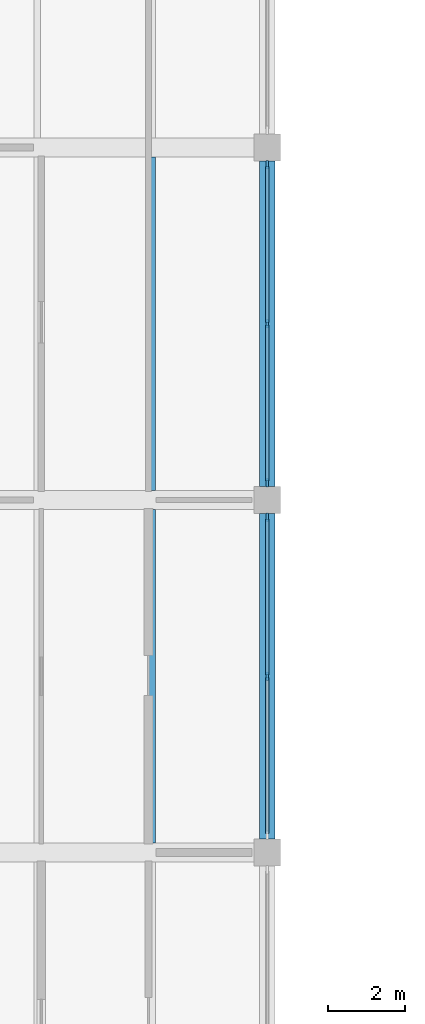
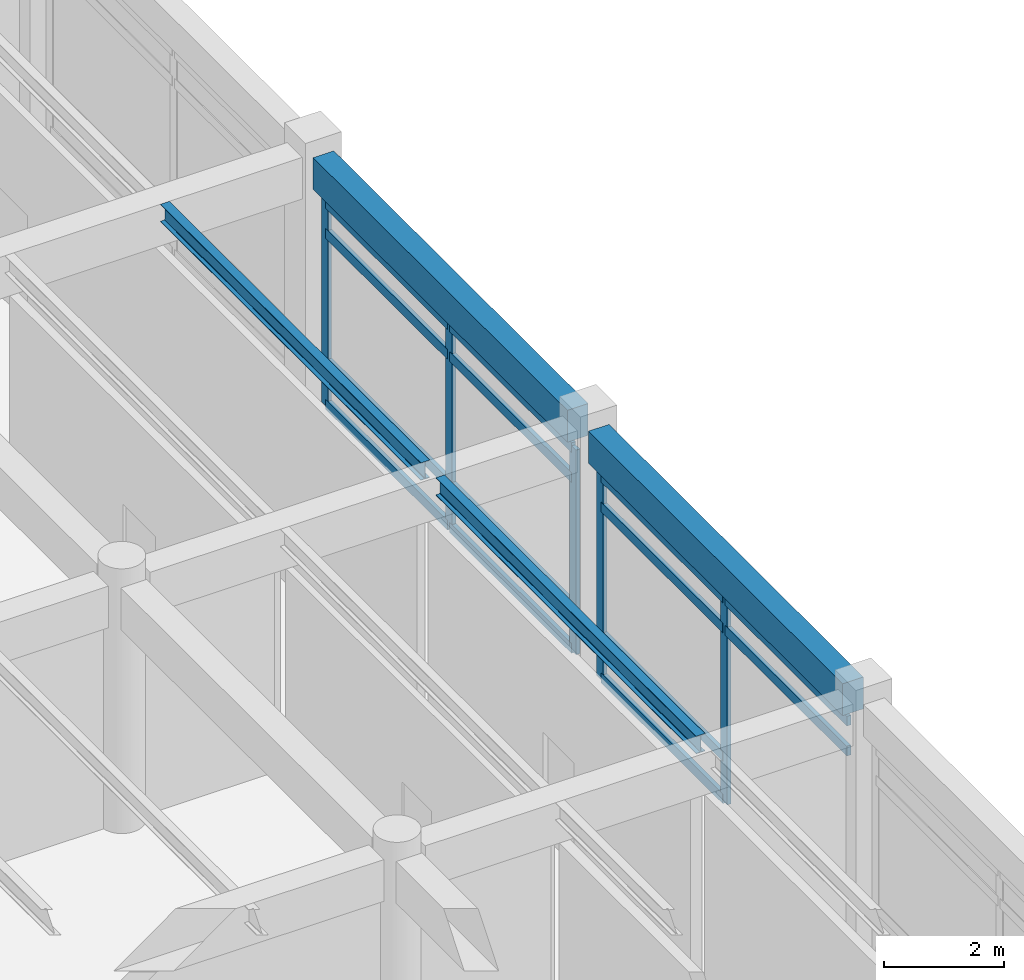
# One storey, part 29 of 76: 19 members, 4 beams, 2 elements without a shape of their own.
"""IFC4 building model written with IfcOpenShell, lengths in metres."""

from ifc_helpers import new_model, si_unit, direction, frame, origin, origin_2d, place, context, subcontext, project, spatial, rectangle, i_section, extrude, material, material_profile, profile_set, type_object, element, aggregate, save


model = new_model("IFC4")

# Units and contexts
model_context = context("Model", 3, precision=1e-05, world=origin(), true_north=direction((0.0, 1.0)))
body_context = subcontext(model_context, "Body", "Model", "MODEL_VIEW")
ifc_project = project(units=[si_unit("LENGTHUNIT", "METRE"), si_unit("AREAUNIT", "SQUARE_METRE"), si_unit("VOLUMEUNIT", "CUBIC_METRE"), si_unit("PLANEANGLEUNIT", "RADIAN"), si_unit("MASSUNIT", "GRAM", prefix="KILO")], contexts=[model_context])

# Site, building, storey
site_placement = place(None, origin())
site = spatial("IfcSite", under=ifc_project, at=site_placement, CompositionType="ELEMENT")
building_placement = place(site_placement, origin())
building = spatial("IfcBuilding", under=site, at=building_placement, Name="Bozkorgan Art Gallery", CompositionType="ELEMENT")
storey_placement = place(building_placement, origin())
storey = spatial("IfcBuildingStorey", under=building, at=storey_placement, Name="L00", CompositionType="ELEMENT", Elevation=0.0)

# Beams
ifc_material_1 = material(Name="Steel S355J2", Category="steel")
ifc_material_profile_1 = material_profile(ifc_material_1, i_section(OverallWidth=0.169921875, OverallDepth=0.360107421875, WebThickness=0.008056640625, FlangeThickness=0.0126953125, FilletRadius=0.01806640625, at=origin_2d()), Name="IPE 360")
ifc_profile_set_1 = profile_set([ifc_material_profile_1], Name="Steel S355J2")
beam_type_1 = type_object("IfcBeamType", Name="BEAM-JS-98", PredefinedType="JOIST", material=ifc_profile_set_1)
for number, where, z_axis, x_axis, name in (
    (1, (98.0, 47.85009765625, 4.8798828125), (0.0, 1.0, 0.0), (-1.0, 0.0, 0.0), "V4 L00 secondary joist (92-101, 47.6-56.8) #2"),
    (2, (98.0, 57.050048828125, 4.8798828125), (0.0, 1.0, 0.0), (-1.0, 0.0, 0.0), "V4 L00 secondary joist (92-101, 56.8-66.0) #2"),
):
    element("IfcBeam", number, at=place(storey_placement, frame(where, z_axis=z_axis, x_axis=x_axis)), inside=storey, type_object=beam_type_1, Name=name, PredefinedType="JOIST", context=body_context, shape_type="SweptSolid", body=[
        extrude(i_section(OverallWidth=0.169921875, OverallDepth=0.360107421875, WebThickness=0.008056640625, FlangeThickness=0.0126953125, FilletRadius=0.01806640625, at=origin_2d()), origin(), (0.0, 0.0, 1.0), 8.699951171875),
    ])
ifc_material_2 = material(Name="Concrete C35/45", Category="concrete")
ifc_material_profile_2 = material_profile(ifc_material_2, rectangle(XDim=0.39990234375, YDim=0.64990234375, at=origin_2d()), Name="RC 400x650")
ifc_profile_set_2 = profile_set([ifc_material_profile_2], Name="Concrete C35/45")
beam_type_2 = type_object("IfcBeamType", Name="BEAM-SP-69", PredefinedType="SPANDREL", material=ifc_profile_set_2)
for number, where, z_axis, x_axis, name in (
    (3, (101.0, 47.949951171875, 4.735107421875), (0.0, 1.0, 0.0), (-1.0, 0.0, 0.0), "V4 L00 spandrel Y (101, 47.6-56.8)"),
    (4, (101.0, 57.14990234375, 4.735107421875), (0.0, 1.0, 0.0), (-1.0, 0.0, 0.0), "V4 L00 spandrel Y (101, 56.8-66.0)"),
):
    element("IfcBeam", number, at=place(storey_placement, frame(where, z_axis=z_axis, x_axis=x_axis)), inside=storey, type_object=beam_type_2, Name=name, PredefinedType="SPANDREL", context=body_context, shape_type="SweptSolid", body=[
        extrude(rectangle(XDim=0.39990234375, YDim=0.64990234375, at=origin_2d()), origin(), (0.0, 0.0, 1.0), 8.5),
    ])

# Curtain wall, members
ifc_material_3 = material(Name="Anodised Bronze Aluminium", Category="aluminium")
curtain_wall_type = type_object("IfcCurtainWallType", Name="CW-CW-87", PredefinedType="NOTDEFINED", material=ifc_material_3)
curtain_wall_1_placement = place(storey_placement, origin())
curtain_wall_1 = element("IfcCurtainWall", 5, at=curtain_wall_1_placement, inside=storey, type_object=curtain_wall_type, Name="L00 unitised curtain wall CW-V4-L00-1E-10", PredefinedType="NOTDEFINED")
ifc_material_profile_3 = material_profile(ifc_material_3, rectangle(XDim=0.074951171875, YDim=0.219970703125, at=origin_2d()), Name="ALU MULLION 75x220")
ifc_profile_set_3 = profile_set([ifc_material_profile_3], Name="Anodised Bronze Aluminium")
member_type_1 = type_object("IfcMemberType", Name="CWM-02", PredefinedType="MULLION", material=ifc_profile_set_3)
member_1_placement = place(storey_placement, frame((101.0, 52.199951171875, 0.02001953125), z_axis=(0.0, 0.0, 1.0), x_axis=(-1.0, 0.0, 0.0)))
member_1 = element("IfcMember", 6, at=member_1_placement, type_object=member_type_1, Name="CW-87 mullion 2", PredefinedType="MULLION", context=body_context, shape_type="SweptSolid", body=[
    extrude(rectangle(XDim=0.074951171875, YDim=0.219970703125, at=origin_2d()), origin(), (0.0, 0.0, 1.0), 4.175048828125),
])
member_2_placement = place(storey_placement, frame((101.0, 56.347412109375, 0.02001953125), z_axis=(0.0, 0.0, 1.0), x_axis=(-1.0, 0.0, 0.0)))
member_2 = element("IfcMember", 7, at=member_2_placement, type_object=member_type_1, Name="CW-87 mullion 3", PredefinedType="MULLION", context=body_context, shape_type="SweptSolid", body=[
    extrude(rectangle(XDim=0.074951171875, YDim=0.219970703125, at=origin_2d()), origin(), (0.0, 0.0, 1.0), 4.175048828125),
])

curtain_wall_2_placement = place(storey_placement, origin())
curtain_wall_2 = element("IfcCurtainWall", 8, at=curtain_wall_2_placement, inside=storey, type_object=curtain_wall_type, Name="L00 unitised curtain wall CW-V4-L00-1E-12", PredefinedType="NOTDEFINED")
member_3_placement = place(storey_placement, frame((101.0, 57.25244140625, 0.02001953125), z_axis=(0.0, 0.0, 1.0), x_axis=(-1.0, 0.0, 0.0)))
member_3 = element("IfcMember", 9, at=member_3_placement, type_object=member_type_1, Name="CW-87 mullion 1", PredefinedType="MULLION", context=body_context, shape_type="SweptSolid", body=[
    extrude(rectangle(XDim=0.074951171875, YDim=0.219970703125, at=origin_2d()), origin(), (0.0, 0.0, 1.0), 4.175048828125),
])
member_4_placement = place(storey_placement, frame((101.0, 61.39990234375, 0.02001953125), z_axis=(0.0, 0.0, 1.0), x_axis=(-1.0, 0.0, 0.0)))
member_4 = element("IfcMember", 10, at=member_4_placement, type_object=member_type_1, Name="CW-87 mullion 2", PredefinedType="MULLION", context=body_context, shape_type="SweptSolid", body=[
    extrude(rectangle(XDim=0.074951171875, YDim=0.219970703125, at=origin_2d()), origin(), (0.0, 0.0, 1.0), 4.175048828125),
])
member_5_placement = place(storey_placement, frame((101.0, 65.547607421875, 0.02001953125), z_axis=(0.0, 0.0, 1.0), x_axis=(-1.0, 0.0, 0.0)))
member_5 = element("IfcMember", 11, at=member_5_placement, type_object=member_type_1, Name="CW-87 mullion 3", PredefinedType="MULLION", context=body_context, shape_type="SweptSolid", body=[
    extrude(rectangle(XDim=0.074951171875, YDim=0.219970703125, at=origin_2d()), origin(), (0.0, 0.0, 1.0), 4.175048828125),
])

# Member
ifc_material_profile_4 = material_profile(ifc_material_3, rectangle(XDim=0.080078125, YDim=0.199951171875, at=origin_2d()), Name="ALU TRANSOM 80x200")
ifc_profile_set_4 = profile_set([ifc_material_profile_4], Name="Anodised Bronze Aluminium")
member_type_2 = type_object("IfcMemberType", Name="CWT-03", PredefinedType="USERDEFINED", material=ifc_profile_set_4)
member_6_placement = place(storey_placement, frame((101.0, 48.090087890625, 3.544921875), z_axis=(0.0, 1.0, 0.0), x_axis=(-1.0, 0.0, 0.0)))
member_6 = element("IfcMember", 12, at=member_6_placement, type_object=member_type_2, Name="CW-87 transom 1.3", ObjectType="TRANSOM", PredefinedType="USERDEFINED", context=body_context, shape_type="SweptSolid", body=[
    extrude(rectangle(XDim=0.080078125, YDim=0.199951171875, at=origin_2d()), origin(), (0.0, 0.0, 1.0), 4.072509765625),
])

member_7_placement = place(storey_placement, frame((101.0, 48.090087890625, 4.155029296875), z_axis=(0.0, 1.0, 0.0), x_axis=(-1.0, 0.0, 0.0)))
member_7 = element("IfcMember", 13, at=member_7_placement, type_object=member_type_2, Name="CW-87 transom 1.4", ObjectType="TRANSOM", PredefinedType="USERDEFINED", context=body_context, shape_type="SweptSolid", body=[
    extrude(rectangle(XDim=0.080078125, YDim=0.199951171875, at=origin_2d()), origin(), (0.0, 0.0, 1.0), 4.072509765625),
])

member_8_placement = place(storey_placement, frame((101.0, 52.237548828125, 0.06005859375), z_axis=(0.0, 1.0, 0.0), x_axis=(-1.0, 0.0, 0.0)))
member_8 = element("IfcMember", 14, at=member_8_placement, type_object=member_type_2, Name="CW-87 transom 2.1", ObjectType="TRANSOM", PredefinedType="USERDEFINED", context=body_context, shape_type="SweptSolid", body=[
    extrude(rectangle(XDim=0.080078125, YDim=0.199951171875, at=origin_2d()), origin(), (0.0, 0.0, 1.0), 4.072509765625),
])

member_9_placement = place(storey_placement, frame((101.0, 52.237548828125, 0.919921875), z_axis=(0.0, 1.0, 0.0), x_axis=(-1.0, 0.0, 0.0)))
member_9 = element("IfcMember", 15, at=member_9_placement, type_object=member_type_2, Name="CW-87 transom 2.2", ObjectType="TRANSOM", PredefinedType="USERDEFINED", context=body_context, shape_type="SweptSolid", body=[
    extrude(rectangle(XDim=0.080078125, YDim=0.199951171875, at=origin_2d()), origin(), (0.0, 0.0, 1.0), 4.072509765625),
])

member_10_placement = place(storey_placement, frame((101.0, 52.237548828125, 3.544921875), z_axis=(0.0, 1.0, 0.0), x_axis=(-1.0, 0.0, 0.0)))
member_10 = element("IfcMember", 16, at=member_10_placement, type_object=member_type_2, Name="CW-87 transom 2.3", ObjectType="TRANSOM", PredefinedType="USERDEFINED", context=body_context, shape_type="SweptSolid", body=[
    extrude(rectangle(XDim=0.080078125, YDim=0.199951171875, at=origin_2d()), origin(), (0.0, 0.0, 1.0), 4.072509765625),
])

member_11_placement = place(storey_placement, frame((101.0, 52.237548828125, 4.155029296875), z_axis=(0.0, 1.0, 0.0), x_axis=(-1.0, 0.0, 0.0)))
member_11 = element("IfcMember", 17, at=member_11_placement, type_object=member_type_2, Name="CW-87 transom 2.4", ObjectType="TRANSOM", PredefinedType="USERDEFINED", context=body_context, shape_type="SweptSolid", body=[
    extrude(rectangle(XDim=0.080078125, YDim=0.199951171875, at=origin_2d()), origin(), (0.0, 0.0, 1.0), 4.072509765625),
])

aggregate(curtain_wall_1, [member_1, member_2, member_6, member_7, member_8, member_9, member_10, member_11])

member_12_placement = place(storey_placement, frame((101.0, 57.2900390625, 0.06005859375), z_axis=(0.0, 1.0, 0.0), x_axis=(-1.0, 0.0, 0.0)))
member_12 = element("IfcMember", 18, at=member_12_placement, type_object=member_type_2, Name="CW-87 transom 1.1", ObjectType="TRANSOM", PredefinedType="USERDEFINED", context=body_context, shape_type="SweptSolid", body=[
    extrude(rectangle(XDim=0.080078125, YDim=0.199951171875, at=origin_2d()), origin(), (0.0, 0.0, 1.0), 4.072509765625),
])

member_13_placement = place(storey_placement, frame((101.0, 57.2900390625, 0.919921875), z_axis=(0.0, 1.0, 0.0), x_axis=(-1.0, 0.0, 0.0)))
member_13 = element("IfcMember", 19, at=member_13_placement, type_object=member_type_2, Name="CW-87 transom 1.2", ObjectType="TRANSOM", PredefinedType="USERDEFINED", context=body_context, shape_type="SweptSolid", body=[
    extrude(rectangle(XDim=0.080078125, YDim=0.199951171875, at=origin_2d()), origin(), (0.0, 0.0, 1.0), 4.072509765625),
])

member_14_placement = place(storey_placement, frame((101.0, 57.2900390625, 3.544921875), z_axis=(0.0, 1.0, 0.0), x_axis=(-1.0, 0.0, 0.0)))
member_14 = element("IfcMember", 20, at=member_14_placement, type_object=member_type_2, Name="CW-87 transom 1.3", ObjectType="TRANSOM", PredefinedType="USERDEFINED", context=body_context, shape_type="SweptSolid", body=[
    extrude(rectangle(XDim=0.080078125, YDim=0.199951171875, at=origin_2d()), origin(), (0.0, 0.0, 1.0), 4.072509765625),
])

member_15_placement = place(storey_placement, frame((101.0, 57.2900390625, 4.155029296875), z_axis=(0.0, 1.0, 0.0), x_axis=(-1.0, 0.0, 0.0)))
member_15 = element("IfcMember", 21, at=member_15_placement, type_object=member_type_2, Name="CW-87 transom 1.4", ObjectType="TRANSOM", PredefinedType="USERDEFINED", context=body_context, shape_type="SweptSolid", body=[
    extrude(rectangle(XDim=0.080078125, YDim=0.199951171875, at=origin_2d()), origin(), (0.0, 0.0, 1.0), 4.072509765625),
])

member_16_placement = place(storey_placement, frame((101.0, 61.4375, 0.06005859375), z_axis=(0.0, 1.0, 0.0), x_axis=(-1.0, 0.0, 0.0)))
member_16 = element("IfcMember", 22, at=member_16_placement, type_object=member_type_2, Name="CW-87 transom 2.1", ObjectType="TRANSOM", PredefinedType="USERDEFINED", context=body_context, shape_type="SweptSolid", body=[
    extrude(rectangle(XDim=0.080078125, YDim=0.199951171875, at=origin_2d()), origin(), (0.0, 0.0, 1.0), 4.072509765625),
])

member_17_placement = place(storey_placement, frame((101.0, 61.4375, 0.919921875), z_axis=(0.0, 1.0, 0.0), x_axis=(-1.0, 0.0, 0.0)))
member_17 = element("IfcMember", 23, at=member_17_placement, type_object=member_type_2, Name="CW-87 transom 2.2", ObjectType="TRANSOM", PredefinedType="USERDEFINED", context=body_context, shape_type="SweptSolid", body=[
    extrude(rectangle(XDim=0.080078125, YDim=0.199951171875, at=origin_2d()), origin(), (0.0, 0.0, 1.0), 4.072509765625),
])

member_18_placement = place(storey_placement, frame((101.0, 61.4375, 3.544921875), z_axis=(0.0, 1.0, 0.0), x_axis=(-1.0, 0.0, 0.0)))
member_18 = element("IfcMember", 24, at=member_18_placement, type_object=member_type_2, Name="CW-87 transom 2.3", ObjectType="TRANSOM", PredefinedType="USERDEFINED", context=body_context, shape_type="SweptSolid", body=[
    extrude(rectangle(XDim=0.080078125, YDim=0.199951171875, at=origin_2d()), origin(), (0.0, 0.0, 1.0), 4.072509765625),
])

member_19_placement = place(storey_placement, frame((101.0, 61.4375, 4.155029296875), z_axis=(0.0, 1.0, 0.0), x_axis=(-1.0, 0.0, 0.0)))
member_19 = element("IfcMember", 25, at=member_19_placement, type_object=member_type_2, Name="CW-87 transom 2.4", ObjectType="TRANSOM", PredefinedType="USERDEFINED", context=body_context, shape_type="SweptSolid", body=[
    extrude(rectangle(XDim=0.080078125, YDim=0.199951171875, at=origin_2d()), origin(), (0.0, 0.0, 1.0), 4.072509765625),
])

aggregate(curtain_wall_2, [member_3, member_4, member_5, member_12, member_13, member_14, member_15, member_16, member_17, member_18, member_19])

save(model, "model.ifc")
